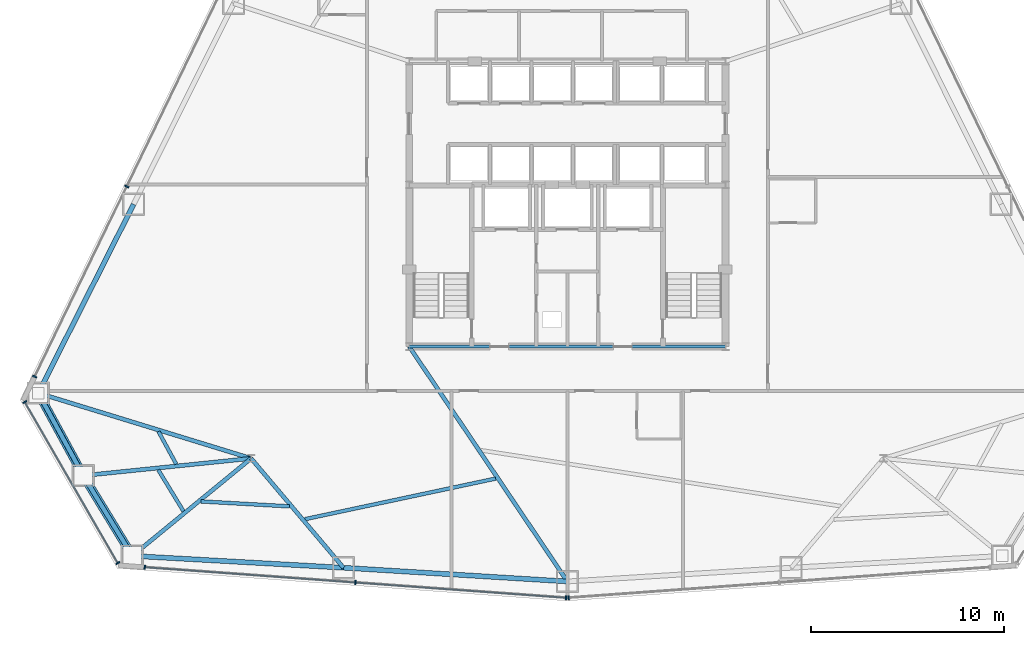
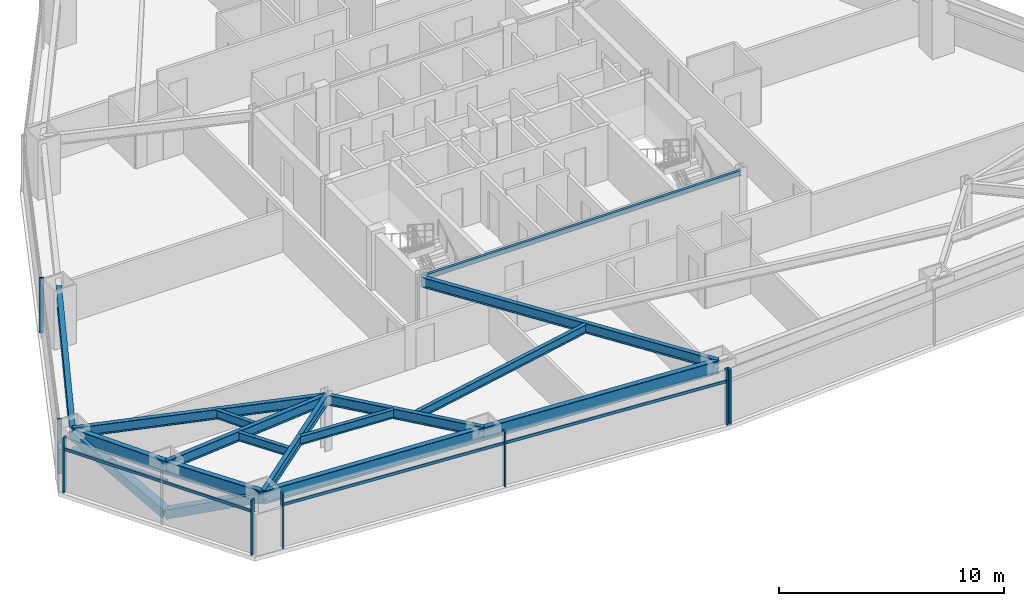
# One storey, part 4 of 12: 15 beams, 13 members, 4 elements without a shape of their own.
"""IFC4 building model written with IfcOpenShell, lengths in metres."""

from ifc_helpers import new_model, si_unit, direction, frame, origin, origin_2d, place, context, subcontext, project, spatial, rectangle, hollow_rectangle, hollow_circle, i_section, extrude, source, transform, mapped, material, layer, layer_set, material_profile, profile_set, type_object, type_shapes, element, aggregate, save


model = new_model("IFC4")

# Units and contexts
model_context = context("Model", 3, precision=1e-05, world=origin(), true_north=direction((0.0, 1.0)))
body_context = subcontext(model_context, "Body", "Model", "MODEL_VIEW")
ifc_project = project(units=[si_unit("LENGTHUNIT", "METRE"), si_unit("AREAUNIT", "SQUARE_METRE"), si_unit("VOLUMEUNIT", "CUBIC_METRE"), si_unit("PLANEANGLEUNIT", "RADIAN"), si_unit("MASSUNIT", "GRAM", prefix="KILO")], contexts=[model_context])

# Site, building, storey
site_placement = place(None, origin())
site = spatial("IfcSite", under=ifc_project, at=site_placement, CompositionType="ELEMENT")
building_placement = place(site_placement, origin())
building = spatial("IfcBuilding", under=site, at=building_placement, Name="Varakhsha Concourse Tower", CompositionType="ELEMENT")
storey_placement = place(building_placement, frame((0.0, 0.0, 56.0)))
storey = spatial("IfcBuildingStorey", under=building, at=storey_placement, Name="L15", CompositionType="ELEMENT", Elevation=56.0)

# Beams
ifc_material_1 = material(Name="Structural Steel ASTM A992 Grade 50", Category="steel")
ifc_material_profile_1 = material_profile(ifc_material_1, i_section(OverallWidth=0.19091796875, OverallDepth=0.45703125, WebThickness=0.009033203125, FlangeThickness=0.013916015625, at=origin_2d()), Name="W18X50")
ifc_profile_set_1 = profile_set([ifc_material_profile_1], Name="Structural Steel ASTM A992 Grade 50")
beam_type_1 = type_object("IfcBeamType", Name="BM-JST-W18X50", PredefinedType="JOIST", material=ifc_profile_set_1)
beam_1_placement = place(storey_placement, frame((18.79638671875, 11.993896484375, 2.75146484375), z_axis=(0.478932086799, -0.877851955761, 0.0), x_axis=(0.877851955761, 0.478932086799, 0.0)))
element("IfcBeam", 1, at=beam_1_placement, inside=storey, type_object=beam_type_1, Name="BM-TJST-L15-07", PredefinedType="JOIST", context=body_context, shape_type="SweptSolid", body=[
    extrude(i_section(OverallWidth=0.19091796875, OverallDepth=0.45703125, WebThickness=0.009033203125, FlangeThickness=0.013916015625, at=origin_2d()), origin(), (0.0, 0.0, 1.0), 1.92529296875),
])
beam_2_placement = place(storey_placement, frame((18.7841796875, 10.006103515625, 2.75146484375), z_axis=(0.520718089615, -0.853728687083, 0.0), x_axis=(0.853728687083, 0.520718089615, 0.0)))
element("IfcBeam", 2, at=beam_2_placement, inside=storey, type_object=beam_type_1, Name="BM-TJST-L15-08", PredefinedType="JOIST", context=body_context, shape_type="SweptSolid", body=[
    extrude(i_section(OverallWidth=0.19091796875, OverallDepth=0.45703125, WebThickness=0.009033203125, FlangeThickness=0.013916015625, at=origin_2d()), origin(), (0.0, 0.0, 1.0), 2.51025390625),
])
beam_3_placement = place(storey_placement, frame((20.998046875, 8.36962890625, 2.75146484375), z_axis=(0.998430705493, -0.056001127923, 0.0), x_axis=(0.056001127923, 0.998430705493, 0.0)))
element("IfcBeam", 3, at=beam_3_placement, inside=storey, type_object=beam_type_1, Name="BM-TJST-L15-09", PredefinedType="JOIST", context=body_context, shape_type="SweptSolid", body=[
    extrude(i_section(OverallWidth=0.19091796875, OverallDepth=0.45703125, WebThickness=0.009033203125, FlangeThickness=0.013916015625, at=origin_2d()), origin(), (0.0, 0.0, 1.0), 4.608154296875),
])
beam_4_placement = place(storey_placement, frame((26.391357421875, 7.447998046875, 2.75146484375), z_axis=(0.978065142388, 0.208299249267, 0.0), x_axis=(-0.208299249267, 0.978065142388, 0.0)))
element("IfcBeam", 4, at=beam_4_placement, inside=storey, type_object=beam_type_1, Name="BM-TJST-L15-10", PredefinedType="JOIST", context=body_context, shape_type="SweptSolid", body=[
    extrude(i_section(OverallWidth=0.19091796875, OverallDepth=0.45703125, WebThickness=0.009033203125, FlangeThickness=0.013916015625, at=origin_2d()), origin(), (0.0, 0.0, 1.0), 10.114990234375),
])
ifc_material_profile_2 = material_profile(ifc_material_1, i_section(OverallWidth=0.14697265625, OverallDepth=0.261962890625, WebThickness=0.007080078125, FlangeThickness=0.010986328125, at=origin_2d()), Name="W10X26")
ifc_profile_set_2 = profile_set([ifc_material_profile_2], Name="Structural Steel ASTM A992 Grade 50")
beam_type_2 = type_object("IfcBeamType", Name="BM-LNTL-W10X26", PredefinedType="LINTEL", material=ifc_profile_set_2)
beam_5_placement = place(storey_placement, frame((31.800048828125, 16.39990234375, 2.84912109375), z_axis=(1.0, 0.0, 0.0), x_axis=(0.0, 1.0, 0.0)))
element("IfcBeam", 5, at=beam_5_placement, inside=storey, type_object=beam_type_2, Name="BM-TCORE-L15-CS", PredefinedType="LINTEL", context=body_context, shape_type="SweptSolid", body=[
    extrude(i_section(OverallWidth=0.14697265625, OverallDepth=0.261962890625, WebThickness=0.007080078125, FlangeThickness=0.010986328125, at=origin_2d()), origin(), (0.0, 0.0, 1.0), 16.39990234375),
])
ifc_material_profile_3 = material_profile(ifc_material_1, i_section(OverallWidth=0.2109375, OverallDepth=0.5390625, WebThickness=0.011962890625, FlangeThickness=0.01904296875, at=origin_2d()), Name="W21X73")
ifc_profile_set_3 = profile_set([ifc_material_profile_3], Name="Structural Steel ASTM A992 Grade 50")
beam_type_3 = type_object("IfcBeamType", Name="BM-RAD-W21X73", PredefinedType="BEAM", material=ifc_profile_set_3)
beam_6_placement = place(storey_placement, frame((23.60009765625, 10.60009765625, 2.71044921875), z_axis=(-0.955989537432, 0.293400757191, 0.0), x_axis=(-0.293400757191, -0.955989537432, 0.0)))
element("IfcBeam", 6, at=beam_6_placement, inside=storey, type_object=beam_type_3, Name="L15 Radial Floor Girder 07", PredefinedType="BEAM", context=body_context, shape_type="SweptSolid", body=[
    extrude(i_section(OverallWidth=0.2109375, OverallDepth=0.5390625, WebThickness=0.011962890625, FlangeThickness=0.01904296875, at=origin_2d()), origin(), (0.0, 0.0, 1.0), 11.54541015625),
])
beam_7_placement = place(storey_placement, frame((23.60009765625, 10.60009765625, 2.71044921875), z_axis=(-0.994778315071, -0.102059315422, 0.0), x_axis=(0.102059315422, -0.994778315071, 0.0)))
element("IfcBeam", 7, at=beam_7_placement, inside=storey, type_object=beam_type_3, Name="L15 Radial Floor Girder 08", PredefinedType="BEAM", context=body_context, shape_type="SweptSolid", body=[
    extrude(i_section(OverallWidth=0.2109375, OverallDepth=0.5390625, WebThickness=0.011962890625, FlangeThickness=0.01904296875, at=origin_2d()), origin(), (0.0, 0.0, 1.0), 8.748046875),
])
beam_8_placement = place(storey_placement, frame((23.60009765625, 10.60009765625, 2.71044921875), z_axis=(-0.773178879733, -0.634188000466, 0.0), x_axis=(0.634188000466, -0.773178879733, 0.0)))
element("IfcBeam", 8, at=beam_8_placement, inside=storey, type_object=beam_type_3, Name="L15 Radial Floor Girder 09", PredefinedType="BEAM", context=body_context, shape_type="SweptSolid", body=[
    extrude(i_section(OverallWidth=0.2109375, OverallDepth=0.5390625, WebThickness=0.011962890625, FlangeThickness=0.01904296875, at=origin_2d()), origin(), (0.0, 0.0, 1.0), 7.97119140625),
])
beam_9_placement = place(storey_placement, frame((23.60009765625, 10.60009765625, 2.71044921875), z_axis=(0.645535260448, -0.763730467848, 0.0), x_axis=(0.763730467848, 0.645535260448, 0.0)))
element("IfcBeam", 9, at=beam_9_placement, inside=storey, type_object=beam_type_3, Name="L15 Radial Floor Girder 10", PredefinedType="BEAM", context=body_context, shape_type="SweptSolid", body=[
    extrude(i_section(OverallWidth=0.2109375, OverallDepth=0.5390625, WebThickness=0.011962890625, FlangeThickness=0.01904296875, at=origin_2d()), origin(), (0.0, 0.0, 1.0), 7.423583984375),
])
beam_10_placement = place(storey_placement, frame((31.800048828125, 16.39990234375, 2.71044921875), z_axis=(0.558389350451, -0.829579009681, 0.0), x_axis=(0.829579009681, 0.558389350451, 0.0)))
element("IfcBeam", 10, at=beam_10_placement, inside=storey, type_object=beam_type_3, Name="L15 Radial Floor Girder 11", PredefinedType="BEAM", context=body_context, shape_type="SweptSolid", body=[
    extrude(i_section(OverallWidth=0.2109375, OverallDepth=0.5390625, WebThickness=0.011962890625, FlangeThickness=0.01904296875, at=origin_2d()), origin(), (0.0, 0.0, 1.0), 14.68505859375),
])
ifc_material_profile_4 = material_profile(ifc_material_1, i_section(OverallWidth=0.25390625, OverallDepth=0.701904296875, WebThickness=0.014892578125, FlangeThickness=0.028076171875, at=origin_2d()), Name="W27X129")
ifc_profile_set_4 = profile_set([ifc_material_profile_4], Name="Structural Steel ASTM A992 Grade 50")
beam_type_4 = type_object("IfcBeamType", Name="BM-SPAN-W27X129", PredefinedType="SPANDREL", material=ifc_profile_set_4)
beam_11_placement = place(storey_placement, frame((17.50830078125, 23.7822265625, 2.62890625), z_axis=(-0.450725699101, -0.892662502948, 0.0), x_axis=(0.892662502948, -0.450725699101, 0.0)))
element("IfcBeam", 11, at=beam_11_placement, inside=storey, type_object=beam_type_4, Name="BM-SPAN-L15-06", PredefinedType="SPANDREL", context=body_context, shape_type="SweptSolid", body=[
    extrude(i_section(OverallWidth=0.25390625, OverallDepth=0.701904296875, WebThickness=0.014892578125, FlangeThickness=0.028076171875, at=origin_2d()), origin(), (0.0, 0.0, 1.0), 10.972412109375),
])
for number, where, z_axis, x_axis, name in (
    (12, (12.562744140625, 13.987548828125, 2.62890625), (0.478894229376, -0.87787260868, 0.0), (0.87787260868, 0.478894229376, 0.0), "BM-SPAN-L15-07"),
    (13, (14.897705078125, 9.707275390625, 2.62890625), (0.520799708694, -0.853678899484, 0.0), (0.853678899484, 0.520799708694, 0.0), "BM-SPAN-L15-08"),
):
    element("IfcBeam", number, at=place(storey_placement, frame(where, z_axis=z_axis, x_axis=x_axis)), inside=storey, type_object=beam_type_4, Name=name, PredefinedType="SPANDREL", context=body_context, shape_type="SweptSolid", body=[
        extrude(i_section(OverallWidth=0.25390625, OverallDepth=0.701904296875, WebThickness=0.014892578125, FlangeThickness=0.028076171875, at=origin_2d()), origin(), (0.0, 0.0, 1.0), 4.875732421875),
    ])
beam_12_placement = place(storey_placement, frame((17.43701171875, 5.544921875, 2.62890625), z_axis=(0.998430566592, -0.056003604308, 0.0), x_axis=(0.056003604308, 0.998430566592, 0.0)))
element("IfcBeam", 14, at=beam_12_placement, inside=storey, type_object=beam_type_4, Name="BM-SPAN-L15-09", PredefinedType="SPANDREL", context=body_context, shape_type="SweptSolid", body=[
    extrude(i_section(OverallWidth=0.25390625, OverallDepth=0.701904296875, WebThickness=0.014892578125, FlangeThickness=0.028076171875, at=origin_2d()), origin(), (0.0, 0.0, 1.0), 10.97265625),
])
beam_13_placement = place(storey_placement, frame((28.392333984375, 4.930419921875, 2.62890625), z_axis=(0.998119386506, -0.061300002284, 0.0), x_axis=(0.061300002284, 0.998119386506, 0.0)))
element("IfcBeam", 15, at=beam_13_placement, inside=storey, type_object=beam_type_4, Name="BM-SPAN-L15-10", PredefinedType="SPANDREL", context=body_context, shape_type="SweptSolid", body=[
    extrude(i_section(OverallWidth=0.25390625, OverallDepth=0.701904296875, WebThickness=0.014892578125, FlangeThickness=0.028076171875, at=origin_2d()), origin(), (0.0, 0.0, 1.0), 11.629638671875),
])

# Members
ifc_material_2 = material(Name="Structural Steel ASTM A500 Grade C", Category="steel")
ifc_material_profile_5 = material_profile(ifc_material_2, hollow_rectangle(XDim=0.449951171875, YDim=0.449951171875, WallThickness=0.01904296875, at=origin_2d()), Name="HSS 450x450x19")
ifc_profile_set_5 = profile_set([ifc_material_profile_5], Name="Structural Steel ASTM A500 Grade C")
member_type_1 = type_object("IfcMemberType", Name="MB-TUBE-HSS450", PredefinedType="BRACE", material=ifc_profile_set_5)
shared_shape_1 = source(origin(), body_context, "Body", "SweptSolid", [
    extrude(hollow_rectangle(XDim=0.449951171875, YDim=0.449951171875, WallThickness=0.01904296875, at=origin_2d()), origin(), (0.0, 0.0, 1.0), 5.5068359375),
])
type_shapes(member_type_1, [shared_shape_1])
for number, where, z_axis, x_axis, name in (
    (16, (14.897705078125, 9.707275390625, 0.1201171875), (-0.424010012347, 0.777263021378, 0.464841591327), (-0.87787260868, -0.478894229376, 0.0), "L15 Wind-Corner Tube Brace B03"),
    (17, (14.897705078125, 9.707275390625, 0.1201171875), (0.461113876099, -0.755843714413, 0.464837899327), (0.853678899484, 0.520799708694, 0.0), "L15 Wind-Corner Tube Brace B04"),
):
    element("IfcMember", number, at=place(storey_placement, frame(where, z_axis=z_axis, x_axis=x_axis)), inside=storey, type_object=member_type_1, Name=name, PredefinedType="BRACE", context=body_context, shape_type="MappedRepresentation", body=[
        mapped(shared_shape_1, transform((0.0, 0.0, 0.0), scale=1.0)),
    ])
ifc_material_profile_6 = material_profile(ifc_material_2, hollow_circle(Radius=0.136474609375, WallThickness=0.011962890625, at=origin_2d()), Name="CHS 273x12")
ifc_profile_set_6 = profile_set([ifc_material_profile_6], Name="Structural Steel ASTM A500 Grade C")
member_type_2 = type_object("IfcMemberType", Name="MB-WIND-CHS273", PredefinedType="COLLAR", material=ifc_profile_set_6)
shared_shape_2 = source(origin(), body_context, "Body", "SweptSolid", [
    extrude(hollow_circle(Radius=0.136474609375, WallThickness=0.011962890625, at=origin_2d()), origin(), (0.0, 0.0, 1.0), 4.875732421875),
])
type_shapes(member_type_2, [shared_shape_2])
member_1_placement = place(storey_placement, frame((12.562744140625, 13.987548828125, 1.800048828125), z_axis=(0.478894229376, -0.87787260868, 0.0), x_axis=(0.87787260868, 0.478894229376, 0.0)))
element("IfcMember", 18, at=member_1_placement, inside=storey, type_object=member_type_2, Name="L15 Wind-Corner Collar Tie 2", PredefinedType="COLLAR", context=body_context, shape_type="MappedRepresentation", body=[
    mapped(shared_shape_2, transform((0.0, 0.0, 0.0), scale=1.0)),
])

# Curtain wall, members
ifc_material_3 = material(Name="Anodised Bronze Architectural Aluminium AA 6063-T6", Category="aluminium")
ifc_layer = layer(ifc_material_3, 0.219970703125, Name="CW-SYS-02")
ifc_layer_set = layer_set([ifc_layer], Name="Anodised Bronze Architectural Aluminium AA 6063-T6")
curtain_wall_type = type_object("IfcCurtainWallType", Name="CW-SYS-02", PredefinedType="NOTDEFINED", material=ifc_layer_set)
curtain_wall_1_placement = place(storey_placement, origin())
curtain_wall_1 = element("IfcCurtainWall", 19, at=curtain_wall_1_placement, inside=storey, type_object=curtain_wall_type, Name="L15 Crystal Curtain Wall F3", PredefinedType="NOTDEFINED")
ifc_material_profile_7 = material_profile(ifc_material_3, rectangle(XDim=0.074951171875, YDim=0.219970703125, at=origin_2d()), Name="CWM-220X75")
ifc_profile_set_7 = profile_set([ifc_material_profile_7], Name="Anodised Bronze Architectural Aluminium AA 6063-T6")
member_type_3 = type_object("IfcMemberType", Name="CWM-220X75", PredefinedType="MULLION", material=ifc_profile_set_7)
shared_shape_3 = source(origin(), body_context, "Body", "SweptSolid", [
    extrude(rectangle(XDim=0.074951171875, YDim=0.219970703125, at=origin_2d()), origin(), (0.0, 0.0, 1.0), 2.97998046875),
])
type_shapes(member_type_3, [shared_shape_3])
member_2_placement = place(storey_placement, frame((12.37744140625, 14.842529296875, 0.0), z_axis=(0.0, 0.0, 1.0), x_axis=(0.435982054409, 0.899955359022, 0.0)))
member_2 = element("IfcMember", 20, at=member_2_placement, type_object=member_type_3, Name="CW-L15-F3 Mullion 00", PredefinedType="MULLION", context=body_context, shape_type="MappedRepresentation", body=[
    mapped(shared_shape_3, transform((0.0, 0.0, 0.0), scale=1.0)),
])
member_3_placement = place(storey_placement, frame((17.15234375, 24.698974609375, 0.0), z_axis=(0.0, 0.0, 1.0), x_axis=(0.435982054409, 0.899955359022, 0.0)))
member_3 = element("IfcMember", 21, at=member_3_placement, type_object=member_type_3, Name="CW-L15-F3 Mullion 01", PredefinedType="MULLION", context=body_context, shape_type="MappedRepresentation", body=[
    mapped(shared_shape_3, transform((0.0, 0.0, 0.0), scale=1.0)),
])
aggregate(curtain_wall_1, [member_2, member_3])

curtain_wall_2_placement = place(storey_placement, origin())
curtain_wall_2 = element("IfcCurtainWall", 22, at=curtain_wall_2_placement, inside=storey, type_object=curtain_wall_type, Name="L15 Chamfer Curtain Wall F4", PredefinedType="NOTDEFINED")
member_4_placement = place(storey_placement, frame((16.685791015625, 5.17041015625, 0.0), z_axis=(0.0, 0.0, 1.0), x_axis=(-0.499992442484, 0.866029767075, 0.0)))
member_4 = element("IfcMember", 23, at=member_4_placement, type_object=member_type_3, Name="CW-L15-F4 Mullion 00", PredefinedType="MULLION", context=body_context, shape_type="MappedRepresentation", body=[
    mapped(shared_shape_3, transform((0.0, 0.0, 0.0), scale=1.0)),
])
member_5_placement = place(storey_placement, frame((11.86279296875, 13.52392578125, 0.0), z_axis=(0.0, 0.0, 1.0), x_axis=(-0.499992442484, 0.866029767075, 0.0)))
member_5 = element("IfcMember", 24, at=member_5_placement, type_object=member_type_3, Name="CW-L15-F4 Mullion 01", PredefinedType="MULLION", context=body_context, shape_type="MappedRepresentation", body=[
    mapped(shared_shape_3, transform((0.0, 0.0, 0.0), scale=1.0)),
])

curtain_wall_3_placement = place(storey_placement, origin())
curtain_wall_3 = element("IfcCurtainWall", 25, at=curtain_wall_3_placement, inside=storey, type_object=curtain_wall_type, Name="L15 Crystal Curtain Wall F5", PredefinedType="NOTDEFINED")
member_6_placement = place(storey_placement, frame((39.931884765625, 3.370849609375, 0.0), z_axis=(0.0, 0.0, 1.0), x_axis=(-0.997375609494, 0.072400922553, 0.0)))
member_6 = element("IfcMember", 26, at=member_6_placement, type_object=member_type_3, Name="CW-L15-F5 Mullion 00", PredefinedType="MULLION", context=body_context, shape_type="MappedRepresentation", body=[
    mapped(shared_shape_3, transform((0.0, 0.0, 0.0), scale=1.0)),
])
member_7_placement = place(storey_placement, frame((29.00830078125, 4.163818359375, 0.0), z_axis=(0.0, 0.0, 1.0), x_axis=(-0.997375609494, 0.072400922553, 0.0)))
member_7 = element("IfcMember", 27, at=member_7_placement, type_object=member_type_3, Name="CW-L15-F5 Mullion 01", PredefinedType="MULLION", context=body_context, shape_type="MappedRepresentation", body=[
    mapped(shared_shape_3, transform((0.0, 0.0, 0.0), scale=1.0)),
])
member_8_placement = place(storey_placement, frame((18.0849609375, 4.956787109375, 0.0), z_axis=(0.0, 0.0, 1.0), x_axis=(-0.997375609494, 0.072400922553, 0.0)))
member_8 = element("IfcMember", 28, at=member_8_placement, type_object=member_type_3, Name="CW-L15-F5 Mullion 02", PredefinedType="MULLION", context=body_context, shape_type="MappedRepresentation", body=[
    mapped(shared_shape_3, transform((0.0, 0.0, 0.0), scale=1.0)),
])

# Curtain wall, member
curtain_wall_4_placement = place(storey_placement, origin())
curtain_wall_4 = element("IfcCurtainWall", 29, at=curtain_wall_4_placement, inside=storey, type_object=curtain_wall_type, Name="L15 Crystal Curtain Wall F6", PredefinedType="NOTDEFINED")
member_9_placement = place(storey_placement, frame((40.068115234375, 3.370849609375, 0.0), z_axis=(0.0, 0.0, 1.0), x_axis=(-0.997375609494, -0.072400922553, 0.0)))
member_9 = element("IfcMember", 30, at=member_9_placement, type_object=member_type_3, Name="CW-L15-F6 Mullion 02", PredefinedType="MULLION", context=body_context, shape_type="MappedRepresentation", body=[
    mapped(shared_shape_3, transform((0.0, 0.0, 0.0), scale=1.0)),
])
aggregate(curtain_wall_4, [member_9])

# Member
ifc_material_profile_8 = material_profile(ifc_material_3, rectangle(XDim=0.06494140625, YDim=0.159912109375, at=origin_2d()), Name="CWT-160X65")
ifc_profile_set_8 = profile_set([ifc_material_profile_8], Name="Anodised Bronze Architectural Aluminium AA 6063-T6")
member_type_4 = type_object("IfcMemberType", Name="CWT-160X65", PredefinedType="USERDEFINED", material=ifc_profile_set_8)
shared_shape_4 = source(origin(), body_context, "Body", "SweptSolid", [
    extrude(rectangle(XDim=0.06494140625, YDim=0.159912109375, at=origin_2d()), origin(), (0.0, 0.0, 1.0), 21.904296875),
])
member_10_placement = place(storey_placement, frame((39.931884765625, 3.370849609375, 2.330078125), z_axis=(-0.997375484087, 0.072402650105, 0.0), x_axis=(-0.072402650105, -0.997375484087, 0.0)))
member_10 = element("IfcMember", 31, at=member_10_placement, type_object=member_type_4, Name="CW-L15-F5 Transom 01", ObjectType="TRANSOM", PredefinedType="USERDEFINED", context=body_context, shape_type="MappedRepresentation", body=[
    mapped(shared_shape_4, transform((0.0, 0.0, 0.0), scale=1.0)),
])

aggregate(curtain_wall_3, [member_6, member_7, member_8, member_10])

shared_shape_5 = source(origin(), body_context, "Body", "SweptSolid", [
    extrude(rectangle(XDim=0.06494140625, YDim=0.159912109375, at=origin_2d()), origin(), (0.0, 0.0, 1.0), 9.645751953125),
])
type_shapes(member_type_4, [shared_shape_4, shared_shape_5])
member_11_placement = place(storey_placement, frame((16.685791015625, 5.17041015625, 2.330078125), z_axis=(-0.500007273995, 0.866021204101, 0.0), x_axis=(-0.866021204101, -0.500007273995, 0.0)))
member_11 = element("IfcMember", 32, at=member_11_placement, type_object=member_type_4, Name="CW-L15-F4 Transom 01", ObjectType="TRANSOM", PredefinedType="USERDEFINED", context=body_context, shape_type="MappedRepresentation", body=[
    mapped(shared_shape_5, transform((0.0, 0.0, 0.0), scale=1.0)),
])

aggregate(curtain_wall_2, [member_4, member_5, member_11])

save(model, "model.ifc")
